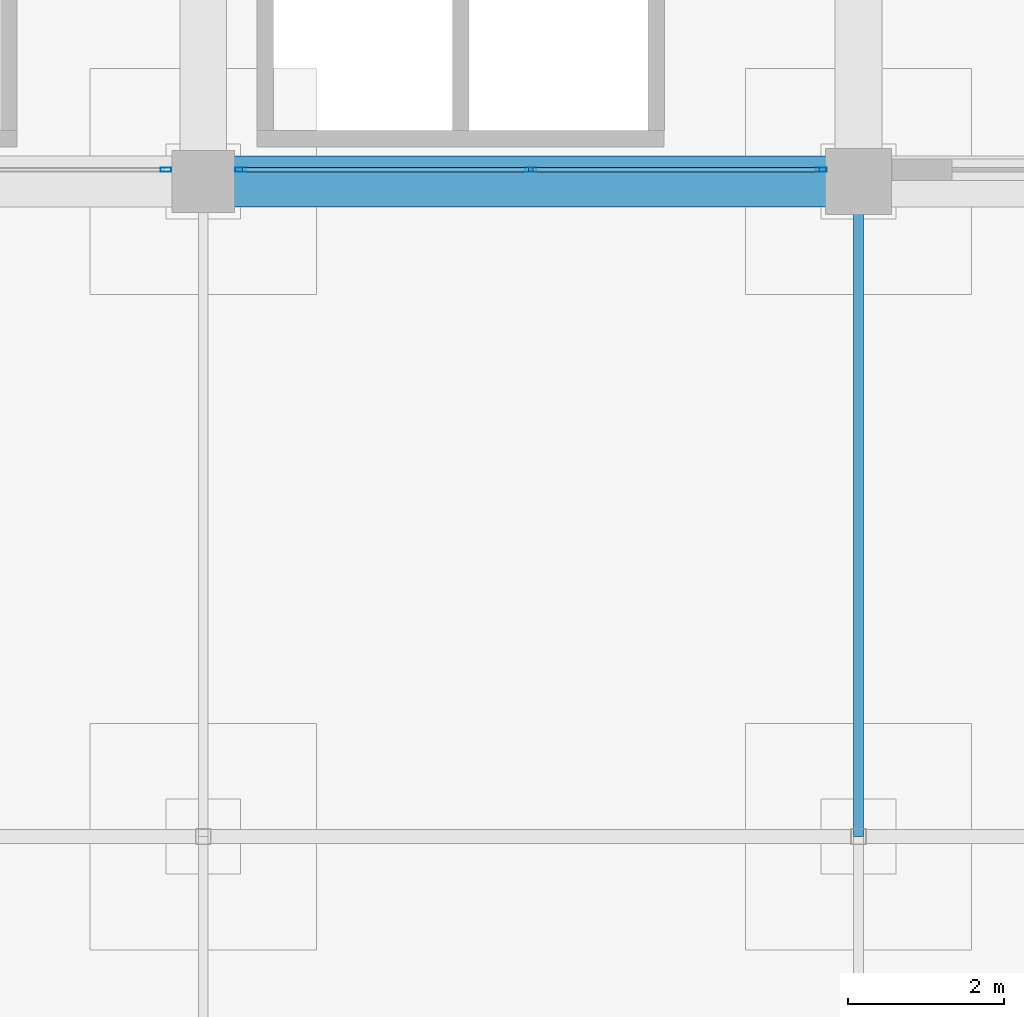
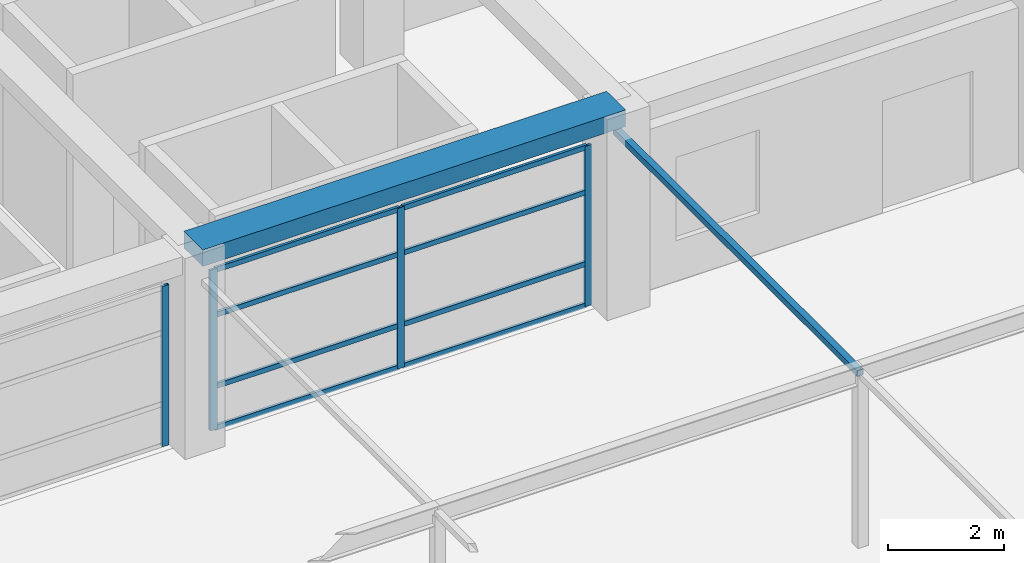
# One storey, part 53 of 85: 13 members, 1 beam, 2 elements without a shape of their own.
"""IFC4 building model written with IfcOpenShell, lengths in metres."""

from ifc_helpers import new_model, si_unit, direction, frame, origin, origin_2d, place, context, subcontext, project, spatial, rectangle, hollow_rectangle, extrude, material, material_profile, profile_set, type_object, element, aggregate, save


model = new_model("IFC4")

# Units and contexts
model_context = context("Model", 3, precision=1e-05, world=origin(), true_north=direction((0.0, 1.0)))
body_context = subcontext(model_context, "Body", "Model", "MODEL_VIEW")
ifc_project = project(units=[si_unit("LENGTHUNIT", "METRE"), si_unit("AREAUNIT", "SQUARE_METRE"), si_unit("VOLUMEUNIT", "CUBIC_METRE"), si_unit("PLANEANGLEUNIT", "RADIAN"), si_unit("MASSUNIT", "GRAM", prefix="KILO")], contexts=[model_context])

# Site, building, storey
site_placement = place(None, origin())
site = spatial("IfcSite", under=ifc_project, at=site_placement, CompositionType="ELEMENT")
building_placement = place(site_placement, origin())
building = spatial("IfcBuilding", under=site, at=building_placement, Name="Almacenes y Pasaje Nevantli", CompositionType="ELEMENT")
storey_placement = place(building_placement, frame((0.0, 0.0, 22.199951171875)))
storey = spatial("IfcBuildingStorey", under=building, at=storey_placement, Name="L05", CompositionType="ELEMENT", Elevation=22.199951171875)

# Beam
ifc_material_1 = material(Name="Concrete C35/45", Category="concrete")
ifc_material_profile_1 = material_profile(ifc_material_1, rectangle(XDim=0.64990234375, YDim=0.35009765625, at=origin_2d()), Name="RC-BM-650x350")
ifc_profile_set_1 = profile_set([ifc_material_profile_1], Name="Concrete C35/45")
beam_type = type_object("IfcBeamType", Name="BM-RC-650x350", PredefinedType="BEAM", material=ifc_profile_set_1)
beam_placement = place(storey_placement, frame((126.0, 67.199951171875, 4.045166015625), z_axis=(1.0, 0.0, 0.0), x_axis=(0.0, 1.0, 0.0)))
element("IfcBeam", 1, at=beam_placement, inside=storey, type_object=beam_type, Name="L05 East-West Reinforced Concrete Beam #3315", PredefinedType="BEAM", context=body_context, shape_type="SweptSolid", body=[
    extrude(rectangle(XDim=0.64990234375, YDim=0.35009765625, at=origin_2d()), origin(), (0.0, 0.0, 1.0), 8.39990234375),
])

# Curtain wall, member
ifc_material_2 = material(Name="Thermally Broken Aluminium and Low-E Glass", Category="aluminium")
curtain_wall_type = type_object("IfcCurtainWallType", Name="CW-STF-ATRIUM", PredefinedType="USERDEFINED", material=ifc_material_2)
curtain_wall_1_placement = place(storey_placement, origin())
curtain_wall_1 = element("IfcCurtainWall", 2, at=curtain_wall_1_placement, inside=storey, type_object=curtain_wall_type, Name="L05 Sky-Lobby South Terrace Glazing Bay 15", ObjectType="STOREFRONT GLAZING", PredefinedType="USERDEFINED")
ifc_material_3 = material(Name="Thermally Broken Anodized Aluminium", Category="aluminium")
ifc_material_profile_2 = material_profile(ifc_material_3, hollow_rectangle(XDim=0.054931640625, YDim=0.139892578125, WallThickness=0.00341796875, at=origin_2d()), Name="ALU-MUL-55x140")
ifc_profile_set_2 = profile_set([ifc_material_profile_2], Name="Thermally Broken Anodized Aluminium")
member_type_1 = type_object("IfcMemberType", Name="CW-MUL-160", PredefinedType="MULLION", material=ifc_profile_set_2)
member_1_placement = place(storey_placement, frame((125.5224609375, 67.35009765625, 0.0), z_axis=(0.0, 0.0, 1.0), x_axis=(0.0, 1.0, 0.0)))
member_1 = element("IfcMember", 3, at=member_1_placement, type_object=member_type_1, Name="CW-L05-087 mullion 3", PredefinedType="MULLION", context=body_context, shape_type="SweptSolid", body=[
    extrude(hollow_rectangle(XDim=0.054931640625, YDim=0.139892578125, WallThickness=0.00341796875, at=origin_2d()), origin(), (0.0, 0.0, 1.0), 3.3701171875),
])
aggregate(curtain_wall_1, [member_1])

# Curtain wall, members
curtain_wall_2_placement = place(storey_placement, origin())
curtain_wall_2 = element("IfcCurtainWall", 4, at=curtain_wall_2_placement, inside=storey, type_object=curtain_wall_type, Name="L05 Sky-Lobby South Terrace Glazing Bay 16", ObjectType="STOREFRONT GLAZING", PredefinedType="USERDEFINED")
member_2_placement = place(storey_placement, frame((126.4775390625, 67.35009765625, 0.0), z_axis=(0.0, 0.0, 1.0), x_axis=(0.0, 1.0, 0.0)))
member_2 = element("IfcMember", 5, at=member_2_placement, type_object=member_type_1, Name="CW-L05-089 mullion 1", PredefinedType="MULLION", context=body_context, shape_type="SweptSolid", body=[
    extrude(hollow_rectangle(XDim=0.054931640625, YDim=0.139892578125, WallThickness=0.00341796875, at=origin_2d()), origin(), (0.0, 0.0, 1.0), 3.3701171875),
])
member_3_placement = place(storey_placement, frame((130.199951171875, 67.35009765625, 0.0), z_axis=(0.0, 0.0, 1.0), x_axis=(0.0, 1.0, 0.0)))
member_3 = element("IfcMember", 6, at=member_3_placement, type_object=member_type_1, Name="CW-L05-089 mullion 2", PredefinedType="MULLION", context=body_context, shape_type="SweptSolid", body=[
    extrude(hollow_rectangle(XDim=0.054931640625, YDim=0.139892578125, WallThickness=0.00341796875, at=origin_2d()), origin(), (0.0, 0.0, 1.0), 3.3701171875),
])
member_4_placement = place(storey_placement, frame((133.922607421875, 67.35009765625, 0.0), z_axis=(0.0, 0.0, 1.0), x_axis=(0.0, 1.0, 0.0)))
member_4 = element("IfcMember", 7, at=member_4_placement, type_object=member_type_1, Name="CW-L05-089 mullion 3", PredefinedType="MULLION", context=body_context, shape_type="SweptSolid", body=[
    extrude(hollow_rectangle(XDim=0.054931640625, YDim=0.139892578125, WallThickness=0.00341796875, at=origin_2d()), origin(), (0.0, 0.0, 1.0), 3.3701171875),
])
ifc_material_4 = material(Name="Thermally Broken Anodized Aluminium", Category="aluminium")
ifc_material_profile_3 = material_profile(ifc_material_4, hollow_rectangle(XDim=0.054931640625, YDim=0.10498046875, WallThickness=0.003173828125, at=origin_2d()), Name="ALU-TRN-55x105")
ifc_profile_set_3 = profile_set([ifc_material_profile_3], Name="Thermally Broken Anodized Aluminium")
member_type_2 = type_object("IfcMemberType", Name="CW-TRN-120", PredefinedType="USERDEFINED", material=ifc_profile_set_3)
member_5_placement = place(storey_placement, frame((126.5048828125, 67.35009765625, 0.027587890625), z_axis=(1.0, 0.0, 0.0), x_axis=(0.0, 1.0, 0.0)))
member_5 = element("IfcMember", 8, at=member_5_placement, type_object=member_type_2, Name="CW-L05-089 transom 1.1", ObjectType="TRANSOM", PredefinedType="USERDEFINED", context=body_context, shape_type="SweptSolid", body=[
    extrude(hollow_rectangle(XDim=0.054931640625, YDim=0.10498046875, WallThickness=0.003173828125, at=origin_2d()), origin(), (0.0, 0.0, 1.0), 3.667724609375),
])
member_6_placement = place(storey_placement, frame((126.5048828125, 67.35009765625, 0.900146484375), z_axis=(1.0, 0.0, 0.0), x_axis=(0.0, 1.0, 0.0)))
member_6 = element("IfcMember", 9, at=member_6_placement, type_object=member_type_2, Name="CW-L05-089 transom 1.2", ObjectType="TRANSOM", PredefinedType="USERDEFINED", context=body_context, shape_type="SweptSolid", body=[
    extrude(hollow_rectangle(XDim=0.054931640625, YDim=0.10498046875, WallThickness=0.003173828125, at=origin_2d()), origin(), (0.0, 0.0, 1.0), 3.667724609375),
])
member_7_placement = place(storey_placement, frame((126.5048828125, 67.35009765625, 2.400146484375), z_axis=(1.0, 0.0, 0.0), x_axis=(0.0, 1.0, 0.0)))
member_7 = element("IfcMember", 10, at=member_7_placement, type_object=member_type_2, Name="CW-L05-089 transom 1.3", ObjectType="TRANSOM", PredefinedType="USERDEFINED", context=body_context, shape_type="SweptSolid", body=[
    extrude(hollow_rectangle(XDim=0.054931640625, YDim=0.10498046875, WallThickness=0.003173828125, at=origin_2d()), origin(), (0.0, 0.0, 1.0), 3.667724609375),
])
member_8_placement = place(storey_placement, frame((126.5048828125, 67.35009765625, 3.342529296875), z_axis=(1.0, 0.0, 0.0), x_axis=(0.0, 1.0, 0.0)))
member_8 = element("IfcMember", 11, at=member_8_placement, type_object=member_type_2, Name="CW-L05-089 transom 1.4", ObjectType="TRANSOM", PredefinedType="USERDEFINED", context=body_context, shape_type="SweptSolid", body=[
    extrude(hollow_rectangle(XDim=0.054931640625, YDim=0.10498046875, WallThickness=0.003173828125, at=origin_2d()), origin(), (0.0, 0.0, 1.0), 3.667724609375),
])
member_9_placement = place(storey_placement, frame((130.2275390625, 67.35009765625, 0.027587890625), z_axis=(1.0, 0.0, 0.0), x_axis=(0.0, 1.0, 0.0)))
member_9 = element("IfcMember", 12, at=member_9_placement, type_object=member_type_2, Name="CW-L05-089 transom 2.1", ObjectType="TRANSOM", PredefinedType="USERDEFINED", context=body_context, shape_type="SweptSolid", body=[
    extrude(hollow_rectangle(XDim=0.054931640625, YDim=0.10498046875, WallThickness=0.003173828125, at=origin_2d()), origin(), (0.0, 0.0, 1.0), 3.66748046875),
])
member_10_placement = place(storey_placement, frame((130.2275390625, 67.35009765625, 0.900146484375), z_axis=(1.0, 0.0, 0.0), x_axis=(0.0, 1.0, 0.0)))
member_10 = element("IfcMember", 13, at=member_10_placement, type_object=member_type_2, Name="CW-L05-089 transom 2.2", ObjectType="TRANSOM", PredefinedType="USERDEFINED", context=body_context, shape_type="SweptSolid", body=[
    extrude(hollow_rectangle(XDim=0.054931640625, YDim=0.10498046875, WallThickness=0.003173828125, at=origin_2d()), origin(), (0.0, 0.0, 1.0), 3.66748046875),
])
member_11_placement = place(storey_placement, frame((130.2275390625, 67.35009765625, 2.400146484375), z_axis=(1.0, 0.0, 0.0), x_axis=(0.0, 1.0, 0.0)))
member_11 = element("IfcMember", 14, at=member_11_placement, type_object=member_type_2, Name="CW-L05-089 transom 2.3", ObjectType="TRANSOM", PredefinedType="USERDEFINED", context=body_context, shape_type="SweptSolid", body=[
    extrude(hollow_rectangle(XDim=0.054931640625, YDim=0.10498046875, WallThickness=0.003173828125, at=origin_2d()), origin(), (0.0, 0.0, 1.0), 3.66748046875),
])
member_12_placement = place(storey_placement, frame((130.2275390625, 67.35009765625, 3.342529296875), z_axis=(1.0, 0.0, 0.0), x_axis=(0.0, 1.0, 0.0)))
member_12 = element("IfcMember", 15, at=member_12_placement, type_object=member_type_2, Name="CW-L05-089 transom 2.4", ObjectType="TRANSOM", PredefinedType="USERDEFINED", context=body_context, shape_type="SweptSolid", body=[
    extrude(hollow_rectangle(XDim=0.054931640625, YDim=0.10498046875, WallThickness=0.003173828125, at=origin_2d()), origin(), (0.0, 0.0, 1.0), 3.66748046875),
])
aggregate(curtain_wall_2, [member_2, member_3, member_4, member_5, member_6, member_7, member_8, member_9, member_10, member_11, member_12])

# Member
ifc_material_5 = material(Name="Steel ASTM A500 Grade C", Category="steel")
ifc_material_profile_4 = material_profile(ifc_material_5, hollow_rectangle(XDim=0.126953125, YDim=0.126953125, WallThickness=0.00634765625, at=origin_2d()), Name="OR 127x127x6.4")
ifc_profile_set_4 = profile_set([ifc_material_profile_4], Name="Steel ASTM A500 Grade C")
member_type_3 = type_object("IfcMemberType", Name="MBR-PUR-OR127x127", PredefinedType="PURLIN", material=ifc_profile_set_4)
member_13_placement = place(storey_placement, frame((134.39990234375, 58.800048828125, 3.60009765625), z_axis=(0.0, 1.0, 0.0), x_axis=(-1.0, 0.0, 0.0)))
element("IfcMember", 16, at=member_13_placement, inside=storey, type_object=member_type_3, Name="L05 Ziggurat Terrace Pergola Steel Tie #35", PredefinedType="PURLIN", context=body_context, shape_type="SweptSolid", body=[
    extrude(hollow_rectangle(XDim=0.126953125, YDim=0.126953125, WallThickness=0.00634765625, at=origin_2d()), origin(), (0.0, 0.0, 1.0), 8.39990234375),
])

save(model, "model.ifc")
